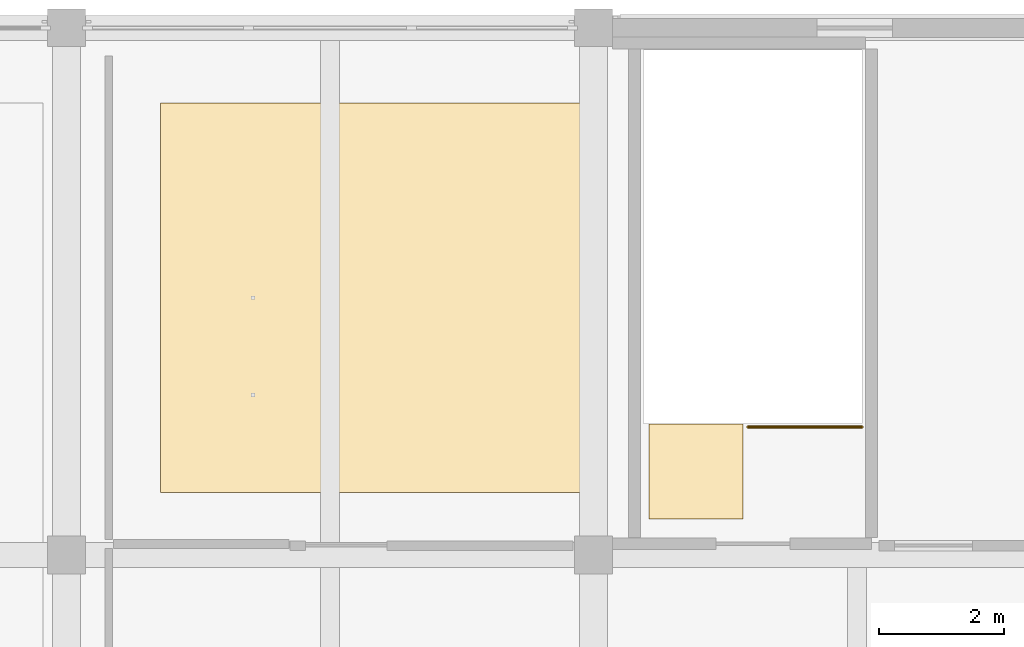
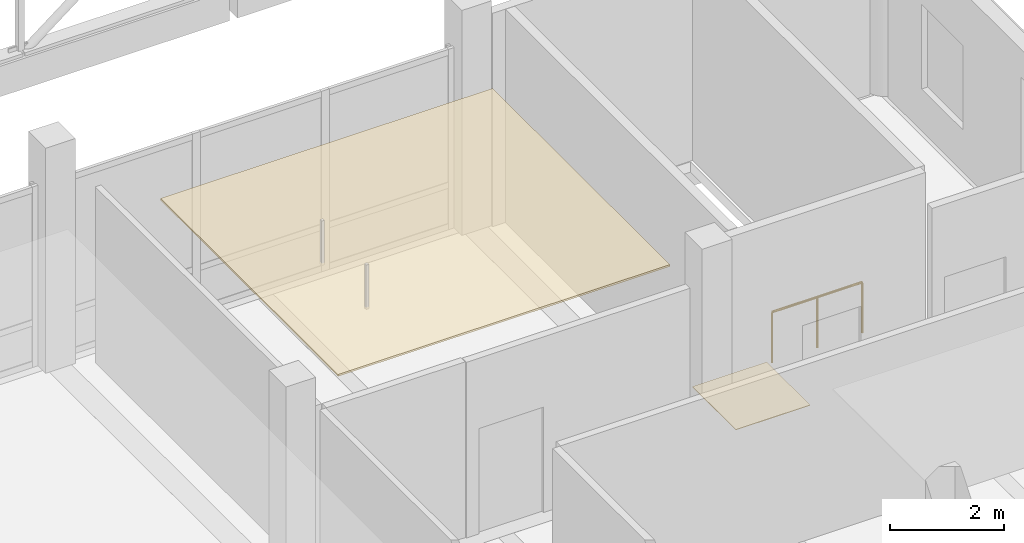
# One storey, part 103 of 122: 2 coverings, 1 railing.
"""IFC4 building model written with IfcOpenShell, lengths in metres."""

from ifc_helpers import new_model, si_unit, direction, frame, origin, origin_2d, place, context, subcontext, project, spatial, polyline, circle, outline, extrude, material, layer, layer_set, type_object, element, save


model = new_model("IFC4")

# Units and contexts
model_context = context("Model", 3, precision=1e-05, world=origin(), true_north=direction((0.0, 1.0)))
body_context = subcontext(model_context, "Body", "Model", "MODEL_VIEW")
ifc_project = project(units=[si_unit("LENGTHUNIT", "METRE"), si_unit("AREAUNIT", "SQUARE_METRE"), si_unit("VOLUMEUNIT", "CUBIC_METRE"), si_unit("PLANEANGLEUNIT", "RADIAN"), si_unit("MASSUNIT", "GRAM", prefix="KILO")], contexts=[model_context])

# Site, building, storey
site_placement = place(None, origin())
site = spatial("IfcSite", under=ifc_project, at=site_placement, CompositionType="ELEMENT")
building_placement = place(site_placement, origin())
building = spatial("IfcBuilding", under=site, at=building_placement, Name="Telukmera Botanical Conservatory", CompositionType="ELEMENT")
storey_placement = place(building_placement, frame((0.0, 0.0, 10.199951171875)))
storey = spatial("IfcBuildingStorey", under=building, at=storey_placement, Name="L02", CompositionType="ELEMENT", Elevation=10.199951171875)

# Coverings
ifc_material_1 = material(Name="Perforated gypsum acoustic ceiling")
ifc_layer_1 = layer(ifc_material_1, 0.0400390625)
ifc_layer_set_1 = layer_set([ifc_layer_1], Name="Perforated gypsum acoustic ceiling")
covering_type_1 = type_object("IfcCoveringType", Name="COV-CEIL-40", PredefinedType="CEILING", material=ifc_layer_set_1)
covering_1_placement = place(storey_placement, frame((0.0, 0.0, 3.610107421875)))
element("IfcCovering", 1, at=covering_1_placement, inside=storey, type_object=covering_type_1, Name="L02 School Group Seminar Room Suspended Acoustic Ceiling", PredefinedType="CEILING", context=body_context, shape_type="SweptSolid", body=[
    extrude(outline(polyline([(26.699951171875, 67.39990234375), (33.39990234375, 67.39990234375), (33.39990234375, 73.60009765625), (26.699951171875, 73.60009765625), (26.699951171875, 67.39990234375)])), origin(), (0.0, 0.0, 1.0), 0.0400390625),
])
ifc_material_2 = material(Name="Honed granite non-slip flooring", Category="masonry")
ifc_layer_2 = layer(ifc_material_2, 0.011962890625)
ifc_layer_set_2 = layer_set([ifc_layer_2], Name="Honed granite non-slip flooring")
covering_type_2 = type_object("IfcCoveringType", Name="COV-FLR-12", PredefinedType="FLOORING", material=ifc_layer_set_2)
covering_2_placement = place(storey_placement, origin())
element("IfcCovering", 2, at=covering_2_placement, inside=storey, type_object=covering_type_2, Name="L02 ST4 Non-Slip Stair Landing Finish", PredefinedType="FLOORING", context=body_context, shape_type="SweptSolid", body=[
    extrude(outline(polyline([(35.97998046875, 66.969970703125), (35.97998046875, 68.485107421875), (34.47998046875, 68.485107421875), (34.47998046875, 66.969970703125), (35.97998046875, 66.969970703125)])), origin(), (0.0, 0.0, 1.0), 0.011962890625),
])

# Railing
ifc_material_3 = material(Name="Steel S355", Category="steel")
railing_type = type_object("IfcRailingType", Name="RL-GUARD-1100", PredefinedType="GUARDRAIL", material=ifc_material_3)
railing_placement = place(storey_placement, frame((37.8798828125, 68.43994140625, 0.0)))
element("IfcRailing", 3, at=railing_placement, inside=storey, type_object=railing_type, Name="L02 ST4 top well guard 1", PredefinedType="GUARDRAIL", context=body_context, shape_type="SweptSolid", body=[
    extrude(circle(Radius=0.02392578125, at=origin_2d()), frame((0.0, 0.0, 1.076171875), z_axis=(-1.0, 0.0, 0.0), x_axis=(0.0, -1.0, 0.0)), (0.0, 0.0, 1.0), 1.81982421875),
    extrude(circle(Radius=0.02099609375, at=origin_2d()), origin(), (0.0, 0.0, 1.0), 1.052001953125),
    extrude(circle(Radius=0.02099609375, at=origin_2d()), frame((-0.909912109375, 0.0, 0.0)), (0.0, 0.0, 1.0), 1.052001953125),
    extrude(circle(Radius=0.02099609375, at=origin_2d()), frame((-1.81982421875, 0.0, 0.0)), (0.0, 0.0, 1.0), 1.052001953125),
])

save(model, "model.ifc")
